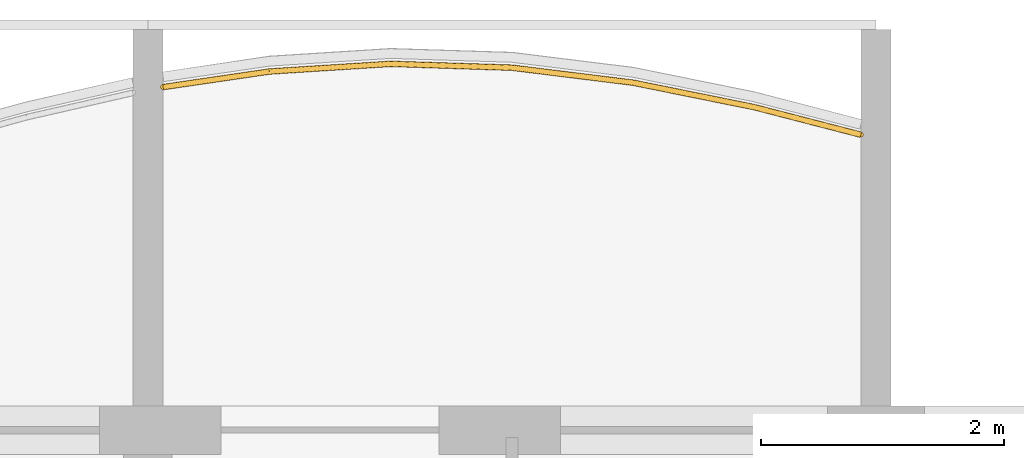
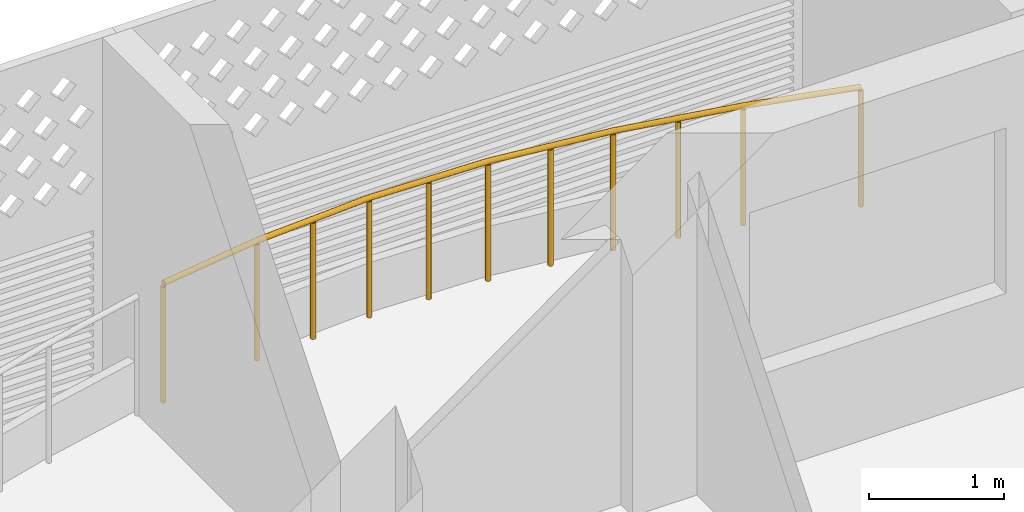
# One storey, part 38 of 39: 1 railing.
"""IFC4 building model written with IfcOpenShell, lengths in metres."""

import ifcopenshell
import ifcopenshell.guid

model = None  # the IFC model being written
_history = None  # IfcOwnerHistory: only IFC2X3 demands one
_inside = {}  # id of a spatial element -> (the spatial element, [elements in it])
_under = {}  # id of a project, library or spatial element -> (it, [spatial elements below it])
_declared = {}  # id of a project -> (the project, [libraries it declares])
_typed = {}  # id of a type object -> (the type object, [elements of that type])
_made_of = {}  # id of a material, layer set ... -> (it, [elements and type objects made of it])


def new_model(schema):
    """Start an empty IFC model of exactly this schema.

    Asked for "IFC4X3", IfcOpenShell would pick the latest addendum, in which some entities
    have other attributes; the version numbers below select the first issue.
    IFC2X3 requires an IfcOwnerHistory on every rooted entity: one is made here for all.
    """
    global model, _history
    if schema == "IFC4X3":
        model = ifcopenshell.file(schema_version=(4, 3, 0, 0))
    else:
        model = ifcopenshell.file(schema=schema)
    _inside.clear()
    _under.clear()
    _declared.clear()
    _typed.clear()
    _made_of.clear()
    _history = None
    if model.schema == "IFC2X3":
        org = make("IfcOrganization", Name="unknown")
        user = make(
            "IfcPersonAndOrganization",
            ThePerson=make("IfcPerson", FamilyName="unknown"),
            TheOrganization=org,
        )
        app = make(
            "IfcApplication",
            ApplicationDeveloper=org,
            Version="unknown",
            ApplicationFullName="unknown",
            ApplicationIdentifier="unknown",
        )
        _history = make(
            "IfcOwnerHistory",
            OwningUser=user,
            OwningApplication=app,
            ChangeAction="ADDED",
            CreationDate=0,
        )
    return model


def make(cls, **values):
    """One entity of the class cls with the attributes given. An attribute that is None is left unset."""
    return model.create_entity(
        cls, **{name: value for name, value in values.items() if value is not None}
    )


def rooted(cls, **values):
    """An entity with a GlobalId (a new one), such as an element, a storey or a relation."""
    return make(cls, GlobalId=ifcopenshell.guid.new(), OwnerHistory=_history, **values)


def si_unit(unit_type, name, prefix=None):
    """IfcSIUnit, for example si_unit("LENGTHUNIT", "METRE", prefix="MILLI")."""
    return make("IfcSIUnit", UnitType=unit_type, Prefix=prefix, Name=name)


def assignment(units):
    """IfcUnitAssignment: the units of a project."""
    return None if units is None else make("IfcUnitAssignment", Units=units)


def point(xyz):
    """IfcCartesianPoint."""
    return None if xyz is None else make("IfcCartesianPoint", Coordinates=xyz)


def direction(xyz):
    """IfcDirection."""
    return None if xyz is None else make("IfcDirection", DirectionRatios=xyz)


def frame(location, z_axis=None, x_axis=None):
    """IfcAxis2Placement3D, a coordinate frame: its origin and axes. An axis left out is left unset."""
    return make(
        "IfcAxis2Placement3D",
        Location=point(location),
        Axis=direction(z_axis),
        RefDirection=direction(x_axis),
    )


def frame_2d(location, x_axis=None):
    """IfcAxis2Placement2D, a coordinate frame in the plane: its origin and x axis."""
    return make(
        "IfcAxis2Placement2D", Location=point(location), RefDirection=direction(x_axis)
    )


def origin():
    """The frame at (0, 0, 0) with its axes left unset."""
    return frame((0.0, 0.0, 0.0))


def origin_2d():
    """The frame at (0, 0) in the plane with its x axis left unset."""
    return frame_2d((0.0, 0.0))


def place(relative_to, where):
    """IfcLocalPlacement: puts the frame where relative to a parent placement (None: the world)."""
    return make(
        "IfcLocalPlacement", PlacementRelTo=relative_to, RelativePlacement=where
    )


def context(
    kind, dimensions, precision=None, world=None, true_north=None, identifier=None
):
    """IfcGeometricRepresentationContext, for example the 3D "Model" context."""
    return make(
        "IfcGeometricRepresentationContext",
        ContextIdentifier=identifier,
        ContextType=kind,
        CoordinateSpaceDimension=dimensions,
        Precision=precision,
        WorldCoordinateSystem=world,
        TrueNorth=true_north,
    )


def subcontext(parent, identifier, kind, view, scale=None):
    """IfcGeometricRepresentationSubContext, for example "Body" below "Model"."""
    return make(
        "IfcGeometricRepresentationSubContext",
        ContextIdentifier=identifier,
        ContextType=kind,
        ParentContext=parent,
        TargetScale=scale,
        TargetView=view,
    )


def project(units=None, contexts=None):
    """IfcProject with its units and contexts."""
    return rooted(
        "IfcProject",
        Name="project",
        RepresentationContexts=contexts,
        UnitsInContext=assignment(units),
    )


def spatial(cls, under=None, at=None, **own):
    """A site, building, storey or space (cls), placed at a placement, below another one or the project."""
    s = rooted(cls, ObjectPlacement=at, **own)
    if under is not None:
        _under.setdefault(under.id(), (under, []))[1].append(s)
    return s


def profile(cls, at=None, kind="AREA", **sizes):
    """A parametric profile (cls). Its sizes go by their IFC names, for example OverallWidth=200.0."""
    return make(cls, ProfileType=kind, Position=at, **sizes)


def circle(**sizes):
    """IfcCircleProfileDef."""
    return profile("IfcCircleProfileDef", **sizes)


def extrude(swept, where, along, depth):
    """IfcExtrudedAreaSolid: the profile swept, set in the frame where, extruded along a direction by depth."""
    return make(
        "IfcExtrudedAreaSolid",
        SweptArea=swept,
        Position=where,
        ExtrudedDirection=direction(along),
        Depth=depth,
    )


def shape(context_of_items, identifier, shape_type, items):
    """IfcShapeRepresentation: the items that make up one representation, for example the "Body"."""
    return make(
        "IfcShapeRepresentation",
        ContextOfItems=context_of_items,
        RepresentationIdentifier=identifier,
        RepresentationType=shape_type,
        Items=items,
    )


def material(Name=None, Category=None):
    """IfcMaterial."""
    return make("IfcMaterial", Name=Name, Category=Category)


def made_of(thing, what):
    """Note that an element or type object is made of a material, layer set ...; save() writes the relation."""
    if what is not None:
        _made_of.setdefault(what.id(), (what, []))[1].append(thing)
    return thing


def type_object(cls, material=None, **own):
    """A type object (cls), such as IfcWallType, which elements share."""
    return made_of(rooted(cls, **own), material)


def element(
    cls,
    number,
    at=None,
    inside=None,
    cuts=None,
    type_object=None,
    material=None,
    context=None,
    identifier="Body",
    shape_type=None,
    held_by="IfcProductDefinitionShape",
    body=None,
    shapes=None,
    **own,
):
    """One element of the class cls, such as IfcWall. Its Tag is "e" and its number.

    at: its placement. inside: the storey or other place that contains it. cuts: it is an
    opening in that element (IfcRelVoidsElement). A single representation is given by context,
    identifier, shape_type and body (its items); several are given by shapes. held_by: the class
    of the entity that holds the representations. save() writes the other relations.
    """
    e = rooted(cls, Tag="e%d" % number, ObjectPlacement=at, **own)
    if body is not None:
        shapes = [shape(context, identifier, shape_type, body)]
    if shapes is not None:
        e.Representation = make(held_by, Representations=shapes)
    if inside is not None:
        _inside.setdefault(inside.id(), (inside, []))[1].append(e)
    if cuts is not None:
        rooted(
            "IfcRelVoidsElement", RelatingBuildingElement=cuts, RelatedOpeningElement=e
        )
    if type_object is not None:
        _typed.setdefault(type_object.id(), (type_object, []))[1].append(e)
    return made_of(e, material)


def aggregate(whole, parts):
    """IfcRelAggregates: a whole, such as a stair, and the parts it consists of."""
    return rooted("IfcRelAggregates", RelatingObject=whole, RelatedObjects=parts)


def save(model, path):
    """Write the relations noted so far, then the file.

    IfcRelAggregates (storeys below a building ...), IfcRelContainedInSpatialStructure (elements
    in a storey), IfcRelDefinesByType, IfcRelAssociatesMaterial and IfcRelDeclares: one each for
    every whole, place, type object, material and project.
    """
    for whole, parts in _under.values():
        aggregate(whole, parts)
    for where, things in _inside.values():
        rooted(
            "IfcRelContainedInSpatialStructure",
            RelatedElements=things,
            RelatingStructure=where,
        )
    for kind, things in _typed.values():
        rooted("IfcRelDefinesByType", RelatedObjects=things, RelatingType=kind)
    for what, things in _made_of.values():
        rooted("IfcRelAssociatesMaterial", RelatedObjects=things, RelatingMaterial=what)
    for by, libraries in _declared.values():
        rooted("IfcRelDeclares", RelatingContext=by, RelatedDefinitions=libraries)
    model.write(path)


model = new_model("IFC4")

# Units and contexts
model_context = context("Model", 3, precision=1e-05, world=origin(), true_north=direction((0.0, 1.0)))
body_context = subcontext(model_context, "Body", "Model", "MODEL_VIEW")
ifc_project = project(units=[si_unit("LENGTHUNIT", "METRE"), si_unit("AREAUNIT", "SQUARE_METRE"), si_unit("VOLUMEUNIT", "CUBIC_METRE"), si_unit("PLANEANGLEUNIT", "RADIAN"), si_unit("MASSUNIT", "GRAM", prefix="KILO")], contexts=[model_context])

# Site, building, storey
site_placement = place(None, origin())
site = spatial("IfcSite", under=ifc_project, at=site_placement, CompositionType="ELEMENT")
building_placement = place(site_placement, origin())
building = spatial("IfcBuilding", under=site, at=building_placement, Name="Poui Terraces", CompositionType="ELEMENT")
storey_placement = place(building_placement, frame((0.0, 0.0, 59.699951171875)))
storey = spatial("IfcBuildingStorey", under=building, at=storey_placement, Name="L16", CompositionType="ELEMENT", Elevation=59.699951171875)

# Railing
ifc_material = material(Name="Painted steel fretwork", Category="steel")
railing_type = type_object("IfcRailingType", Name="BALCONY GUARD 1100", PredefinedType="GUARDRAIL", material=ifc_material)
railing_placement = place(storey_placement, frame((78.125, 47.626953125, 0.0)))
element("IfcRailing", 1, at=railing_placement, inside=storey, type_object=railing_type, Name="BALCONY GUARD", PredefinedType="GUARDRAIL", context=body_context, shape_type="SweptSolid", body=[
    extrude(circle(Radius=0.02392578125, at=origin_2d()), frame((0.0, 0.0, 1.076171875), z_axis=(0.989401169276, 0.1452078725, 0.0), x_axis=(-0.1452078725, 0.989401169276, 0.0)), (0.0, 0.0, 1.0), 0.88427734375),
    extrude(circle(Radius=0.02392578125, at=origin_2d()), frame((0.875, 0.12841796875, 1.076171875), z_axis=(0.998006805525, 0.063106387361, 0.0), x_axis=(-0.063106387361, 0.998006805525, 0.0)), (0.0, 0.0, 1.0), 1.001953125),
    extrude(circle(Radius=0.02392578125, at=origin_2d()), frame((1.875, 0.191650390625, 1.076171875), z_axis=(0.999496720941, -0.031722308038, 0.0), x_axis=(0.031722308038, 0.999496720941, 0.0)), (0.0, 0.0, 1.0), 1.00048828125),
    extrude(circle(Radius=0.02392578125, at=origin_2d()), frame((2.875, 0.159912109375, 1.076171875), z_axis=(0.992426262271, -0.122841824944, 0.0), x_axis=(0.122841824944, 0.992426262271, 0.0)), (0.0, 0.0, 1.0), 1.007568359375),
    extrude(circle(Radius=0.02392578125, at=origin_2d()), frame((3.875, 0.0361328125, 1.076171875), z_axis=(0.980127115756, -0.198370453848, 0.0), x_axis=(0.198370453848, 0.980127115756, 0.0)), (0.0, 0.0, 1.0), 1.020263671875),
    extrude(circle(Radius=0.02392578125, at=origin_2d()), frame((4.875, -0.166259765625, 1.076171875), z_axis=(0.968205596165, -0.250155798563, 0.0), x_axis=(0.250155798563, 0.968205596165, 0.0)), (0.0, 0.0, 1.0), 0.90380859375),
    extrude(circle(Radius=0.02099609375, at=origin_2d()), origin(), (0.0, 0.0, 1.0), 1.052001953125),
    extrude(circle(Radius=0.02099609375, at=origin_2d()), frame((0.875, 0.12841796875, 0.0)), (0.0, 0.0, 1.0), 1.052001953125),
    extrude(circle(Radius=0.02099609375, at=origin_2d()), frame((1.375, 0.16015625, 0.0)), (0.0, 0.0, 1.0), 1.052001953125),
    extrude(circle(Radius=0.02099609375, at=origin_2d()), frame((1.875, 0.191650390625, 0.0)), (0.0, 0.0, 1.0), 1.052001953125),
    extrude(circle(Radius=0.02099609375, at=origin_2d()), frame((2.375, 0.17578125, 0.0)), (0.0, 0.0, 1.0), 1.052001953125),
    extrude(circle(Radius=0.02099609375, at=origin_2d()), frame((2.875, 0.159912109375, 0.0)), (0.0, 0.0, 1.0), 1.052001953125),
    extrude(circle(Radius=0.02099609375, at=origin_2d()), frame((3.375, 0.09814453125, 0.0)), (0.0, 0.0, 1.0), 1.052001953125),
    extrude(circle(Radius=0.02099609375, at=origin_2d()), frame((3.875, 0.0361328125, 0.0)), (0.0, 0.0, 1.0), 1.052001953125),
    extrude(circle(Radius=0.02099609375, at=origin_2d()), frame((4.375, -0.06494140625, 0.0)), (0.0, 0.0, 1.0), 1.052001953125),
    extrude(circle(Radius=0.02099609375, at=origin_2d()), frame((4.875, -0.166259765625, 0.0)), (0.0, 0.0, 1.0), 1.052001953125),
    extrude(circle(Radius=0.02099609375, at=origin_2d()), frame((5.75, -0.392333984375, 0.0)), (0.0, 0.0, 1.0), 1.052001953125),
])

save(model, "model.ifc")
